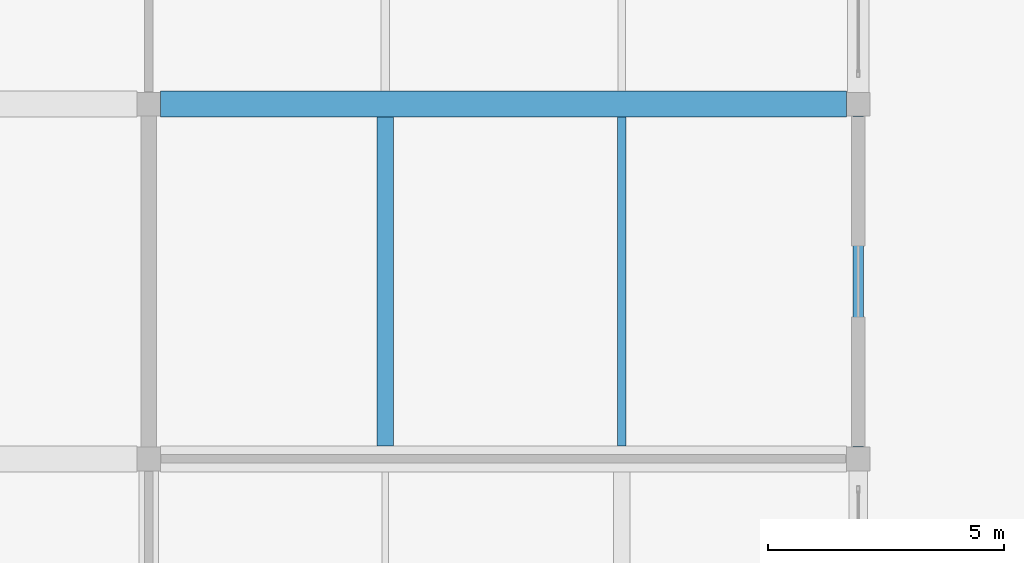
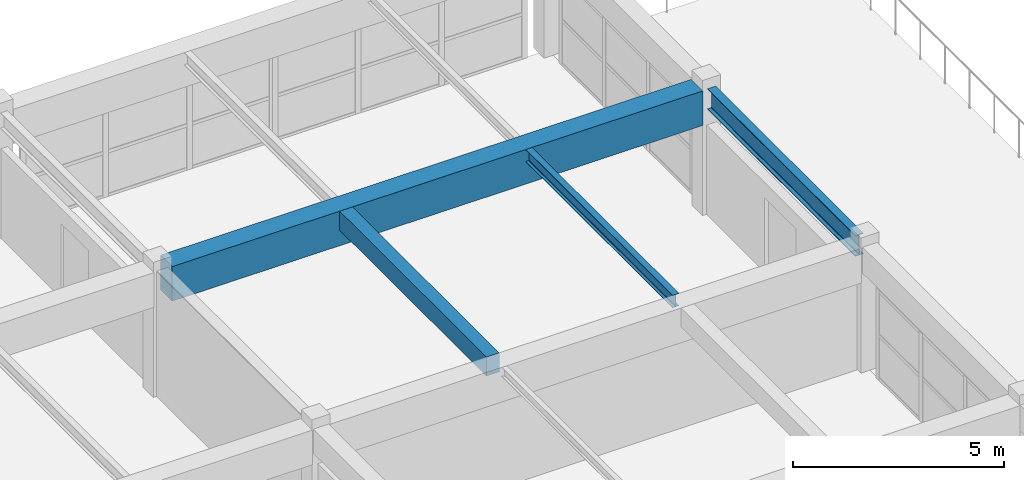
# One storey, part 11 of 82: 4 beams.
"""IFC4 building model written with IfcOpenShell, lengths in metres."""

from ifc_helpers import new_model, si_unit, direction, frame, origin, origin_2d, place, context, subcontext, project, spatial, rectangle, i_section, extrude, material, material_profile, profile_set, type_object, element, save


model = new_model("IFC4")

# Units and contexts
model_context = context("Model", 3, precision=1e-05, world=origin(), true_north=direction((0.0, 1.0)))
body_context = subcontext(model_context, "Body", "Model", "MODEL_VIEW")
ifc_project = project(units=[si_unit("LENGTHUNIT", "METRE"), si_unit("AREAUNIT", "SQUARE_METRE"), si_unit("VOLUMEUNIT", "CUBIC_METRE"), si_unit("PLANEANGLEUNIT", "RADIAN"), si_unit("MASSUNIT", "GRAM", prefix="KILO")], contexts=[model_context])

# Site, building, storey
site_placement = place(None, origin())
site = spatial("IfcSite", under=ifc_project, at=site_placement, CompositionType="ELEMENT")
building_placement = place(site_placement, origin())
building = spatial("IfcBuilding", under=site, at=building_placement, Name="Qasida Concert Hall", CompositionType="ELEMENT")
storey_placement = place(building_placement, frame((0.0, 0.0, 17.10009765625)))
storey = spatial("IfcBuildingStorey", under=building, at=storey_placement, Name="L04", CompositionType="ELEMENT", Elevation=17.10009765625)

# Beams
ifc_material_1 = material(Name="Concrete C40/50", Category="concrete")
ifc_material_profile_1 = material_profile(ifc_material_1, rectangle(XDim=0.550048828125, YDim=1.0, at=origin_2d()), Name="RC 550x1000")
ifc_profile_set_1 = profile_set([ifc_material_profile_1], Name="Concrete C40/50")
beam_type_1 = type_object("IfcBeamType", Name="BM-G3", PredefinedType="USERDEFINED", material=ifc_profile_set_1)
beam_1_placement = place(storey_placement, frame((15.25, 45.0, 3.119873046875), z_axis=(1.0, 0.0, 0.0), x_axis=(0.0, 1.0, 0.0)))
element("IfcBeam", 1, at=beam_1_placement, inside=storey, type_object=beam_type_1, Name="Primary girder 1900", ObjectType="GIRDER", PredefinedType="USERDEFINED", context=body_context, shape_type="SweptSolid", body=[
    extrude(rectangle(XDim=0.550048828125, YDim=1.0, at=origin_2d()), origin(), (0.0, 0.0, 1.0), 14.5),
])
ifc_material_2 = material(Name="Steel S355J2", Category="steel")
ifc_material_profile_2 = material_profile(ifc_material_2, i_section(OverallWidth=0.169921875, OverallDepth=0.360107421875, WebThickness=0.008056640625, FlangeThickness=0.0126953125, FilletRadius=0.01806640625, at=origin_2d()), Name="IPE 360")
ifc_profile_set_2 = profile_set([ifc_material_profile_2], Name="Steel S355J2")
beam_type_2 = type_object("IfcBeamType", Name="BM-J2", PredefinedType="JOIST", material=ifc_profile_set_2)
beam_2_placement = place(storey_placement, frame((25.0, 37.77490234375, 3.43994140625), z_axis=(0.0, 1.0, 0.0), x_axis=(-1.0, 0.0, 0.0)))
element("IfcBeam", 2, at=beam_2_placement, inside=storey, type_object=beam_type_2, Name="L04 secondary joist 1928", PredefinedType="JOIST", context=body_context, shape_type="SweptSolid", body=[
    extrude(i_section(OverallWidth=0.169921875, OverallDepth=0.360107421875, WebThickness=0.008056640625, FlangeThickness=0.0126953125, FilletRadius=0.01806640625, at=origin_2d()), origin(), (0.0, 0.0, 1.0), 6.9501953125),
])
ifc_material_profile_3 = material_profile(ifc_material_1, rectangle(XDim=0.35009765625, YDim=0.550048828125, at=origin_2d()), Name="RC 350x550")
ifc_profile_set_3 = profile_set([ifc_material_profile_3], Name="Concrete C40/50")
beam_type_3 = type_object("IfcBeamType", Name="BM-J8", PredefinedType="JOIST", material=ifc_profile_set_3)
beam_3_placement = place(storey_placement, frame((20.0, 37.77490234375, 3.344970703125), z_axis=(0.0, 1.0, 0.0), x_axis=(-1.0, 0.0, 0.0)))
element("IfcBeam", 3, at=beam_3_placement, inside=storey, type_object=beam_type_3, Name="L04 secondary joist 1927", PredefinedType="JOIST", context=body_context, shape_type="SweptSolid", body=[
    extrude(rectangle(XDim=0.35009765625, YDim=0.550048828125, at=origin_2d()), origin(), (0.0, 0.0, 1.0), 6.9501953125),
])
ifc_material_profile_4 = material_profile(ifc_material_2, i_section(OverallWidth=0.219970703125, OverallDepth=0.60009765625, WebThickness=0.011962890625, FlangeThickness=0.01904296875, FilletRadius=0.02392578125, at=origin_2d()), Name="IPE 600")
ifc_profile_set_4 = profile_set([ifc_material_profile_4], Name="Steel S355J2")
beam_type_4 = type_object("IfcBeamType", Name="BM-SP3", PredefinedType="SPANDREL", material=ifc_profile_set_4)
beam_4_placement = place(storey_placement, frame((30.0, 37.75, 3.31982421875), z_axis=(0.0, 1.0, 0.0), x_axis=(-1.0, 0.0, 0.0)))
element("IfcBeam", 4, at=beam_4_placement, inside=storey, type_object=beam_type_4, Name="L04 girder 1913", PredefinedType="SPANDREL", context=body_context, shape_type="SweptSolid", body=[
    extrude(i_section(OverallWidth=0.219970703125, OverallDepth=0.60009765625, WebThickness=0.011962890625, FlangeThickness=0.01904296875, FilletRadius=0.02392578125, at=origin_2d()), origin(), (0.0, 0.0, 1.0), 7.0),
])

save(model, "model.ifc")
